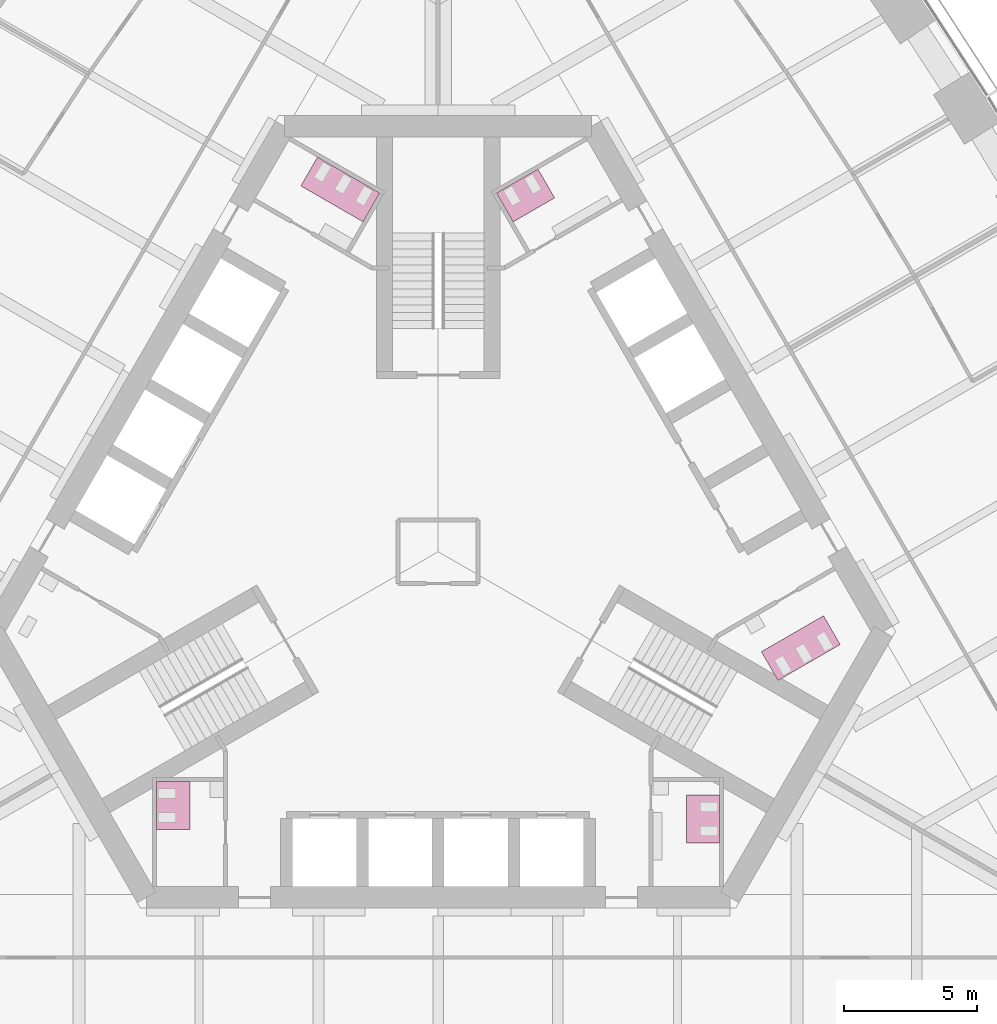
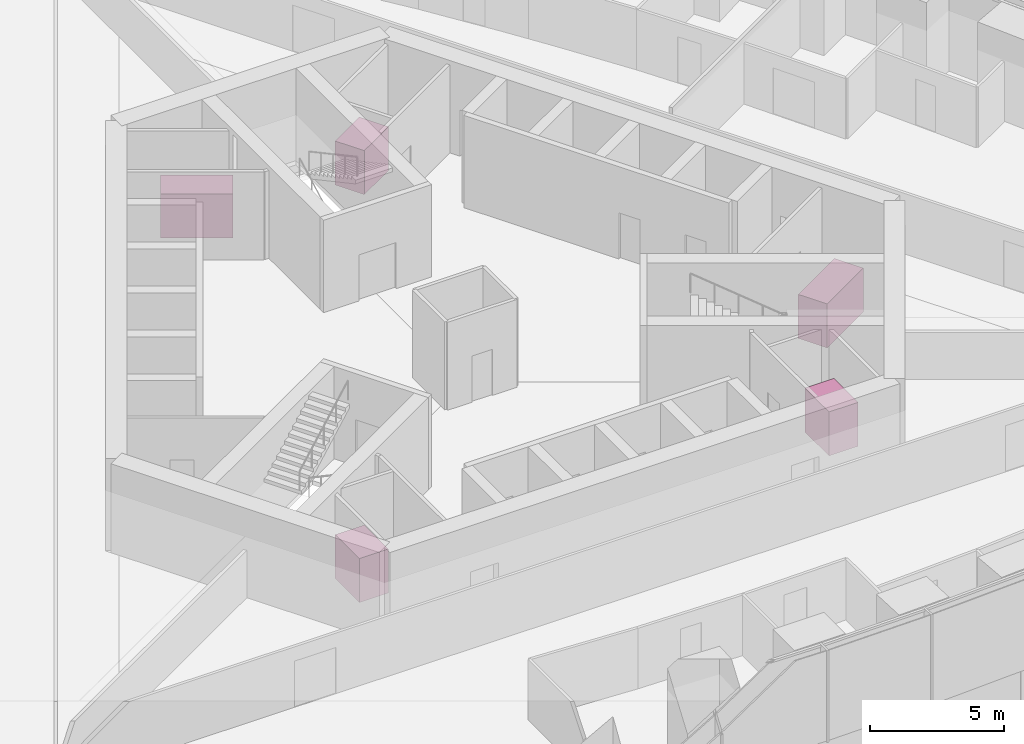
# One storey, part 18 of 18: 5 furniture elements.
"""IFC4 building model written with IfcOpenShell, lengths in metres."""

from ifc_helpers import new_model, si_unit, direction, frame, origin, place, context, subcontext, project, spatial, polyline, outline, extrude, material, type_object, element, save


model = new_model("IFC4")

# Units and contexts
model_context = context("Model", 3, precision=1e-05, world=origin(), true_north=direction((0.0, 1.0)))
body_context = subcontext(model_context, "Body", "Model", "MODEL_VIEW")
ifc_project = project(units=[si_unit("LENGTHUNIT", "METRE"), si_unit("AREAUNIT", "SQUARE_METRE"), si_unit("VOLUMEUNIT", "CUBIC_METRE"), si_unit("PLANEANGLEUNIT", "RADIAN"), si_unit("MASSUNIT", "GRAM", prefix="KILO")], contexts=[model_context])

# Site, building, storey
site_placement = place(None, origin())
site = spatial("IfcSite", under=ifc_project, at=site_placement, CompositionType="ELEMENT")
building_placement = place(site_placement, origin())
building = spatial("IfcBuilding", under=site, at=building_placement, Name="Trefoil Bronze Tower", CompositionType="ELEMENT")
storey_placement = place(building_placement, frame((0.0, 0.0, 115.699951171875)))
storey = spatial("IfcBuildingStorey", under=building, at=storey_placement, Name="L26", CompositionType="ELEMENT", Elevation=115.699951171875)

# Furniture
ifc_material_1 = material(Name="Compact laminate cubicles", Category="plastic")
furniture_type_1 = type_object("IfcFurnitureType", Name="WC cubicle range 2 cubicles", AssemblyPlace="FACTORY", PredefinedType="USERDEFINED", material=ifc_material_1)
furniture_1_placement = place(storey_placement, origin())
element("IfcFurniture", 1, at=furniture_1_placement, inside=storey, type_object=furniture_type_1, Name="WC cubicle range WC (men) L26", ObjectType="WC cubicle range", PredefinedType="USERDEFINED", context=body_context, shape_type="SweptSolid", body=[
    extrude(outline(polyline([(9.3349609375, -9.14990234375), (10.5849609375, -9.14990234375), (10.5849609375, -10.949951171875), (9.3349609375, -10.949951171875), (9.3349609375, -9.14990234375)])), origin(), (0.0, 0.0, 1.0), 2.0),
])
furniture_2_placement = place(storey_placement, origin())
element("IfcFurniture", 2, at=furniture_2_placement, inside=storey, type_object=furniture_type_1, Name="WC cubicle range WC (men) L26", ObjectType="WC cubicle range", PredefinedType="USERDEFINED", context=body_context, shape_type="SweptSolid", body=[
    extrude(outline(polyline([(2.82373046875, 12.409423828125), (2.19873046875, 13.491943359375), (3.757568359375, 14.391845703125), (4.382568359375, 13.309326171875), (2.82373046875, 12.409423828125)])), origin(), (0.0, 0.0, 1.0), 2.0),
])
furniture_3_placement = place(storey_placement, origin())
element("IfcFurniture", 3, at=furniture_3_placement, inside=storey, type_object=furniture_type_1, Name="WC cubicle range WC (women) L26", ObjectType="WC cubicle range", PredefinedType="USERDEFINED", context=body_context, shape_type="SweptSolid", body=[
    extrude(outline(polyline([(-9.3349609375, -8.64990234375), (-10.5849609375, -8.64990234375), (-10.5849609375, -10.449951171875), (-9.3349609375, -10.449951171875), (-9.3349609375, -8.64990234375)])), origin(), (0.0, 0.0, 1.0), 2.0),
])
ifc_material_2 = material(Name="Compact laminate cubicles", Category="plastic")
furniture_type_2 = type_object("IfcFurnitureType", Name="WC cubicle range 3 cubicles", AssemblyPlace="FACTORY", PredefinedType="USERDEFINED", material=ifc_material_2)
furniture_4_placement = place(storey_placement, origin())
element("IfcFurniture", 4, at=furniture_4_placement, inside=storey, type_object=furniture_type_2, Name="WC cubicle range WC (women) L26", ObjectType="WC cubicle range", PredefinedType="USERDEFINED", context=body_context, shape_type="SweptSolid", body=[
    extrude(outline(polyline([(12.15869140625, -3.75927734375), (12.78369140625, -4.841796875), (15.121826171875, -3.491943359375), (14.496826171875, -2.409423828125), (12.15869140625, -3.75927734375)])), origin(), (0.0, 0.0, 1.0), 2.0),
])
furniture_5_placement = place(storey_placement, origin())
element("IfcFurniture", 5, at=furniture_5_placement, inside=storey, type_object=furniture_type_2, Name="WC cubicle range WC (women) L26", ObjectType="WC cubicle range", PredefinedType="USERDEFINED", context=body_context, shape_type="SweptSolid", body=[
    extrude(outline(polyline([(-2.82373046875, 12.409423828125), (-2.19873046875, 13.491943359375), (-4.536865234375, 14.841796875), (-5.161865234375, 13.75927734375), (-2.82373046875, 12.409423828125)])), origin(), (0.0, 0.0, 1.0), 2.0),
])

save(model, "model.ifc")
